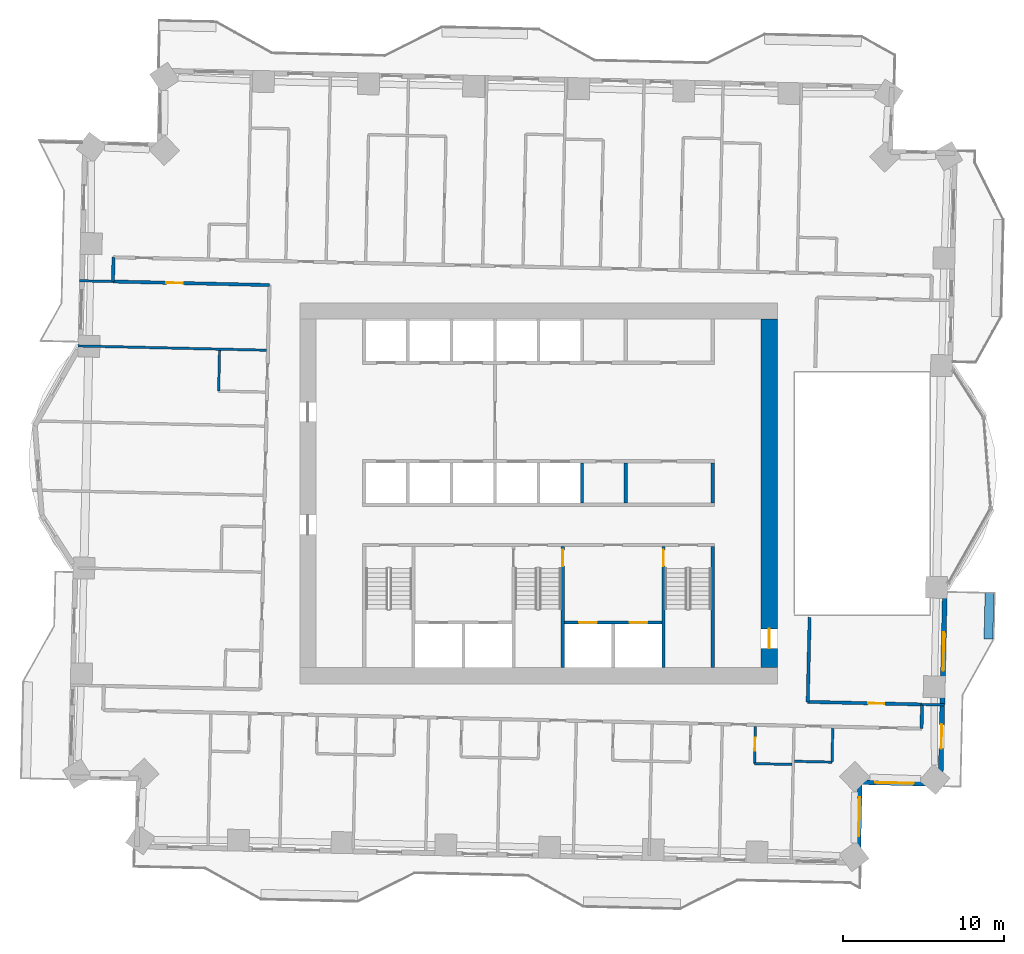
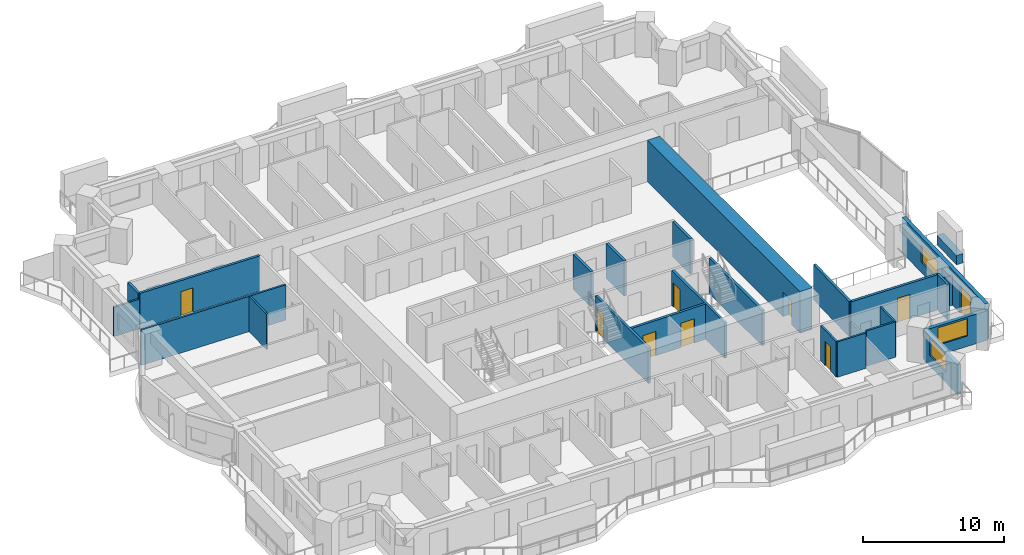
# One storey, part 9 of 16: 25 walls, 9 doors, 3 windows, 12 openings.
"""IFC4 building model written with IfcOpenShell, lengths in metres."""

from ifc_helpers import new_model, si_unit, direction, frame, frame_2d, origin, place, context, subcontext, project, spatial, rectangle, extrude, material, layer, layer_set, type_object, element, fill, save


model = new_model("IFC4")

# Units and contexts
model_context = context("Model", 3, precision=1e-05, world=origin(), true_north=direction((0.0, 1.0)))
body_context = subcontext(model_context, "Body", "Model", "MODEL_VIEW")
ifc_project = project(units=[si_unit("LENGTHUNIT", "METRE"), si_unit("AREAUNIT", "SQUARE_METRE"), si_unit("VOLUMEUNIT", "CUBIC_METRE"), si_unit("PLANEANGLEUNIT", "RADIAN"), si_unit("MASSUNIT", "GRAM", prefix="KILO")], contexts=[model_context])

# Site, building, storey
site_placement = place(None, origin())
site = spatial("IfcSite", under=ifc_project, at=site_placement, CompositionType="ELEMENT")
building_placement = place(site_placement, origin())
building = spatial("IfcBuilding", under=site, at=building_placement, Name="Mangrove Gate Tower", CompositionType="ELEMENT")
storey_placement = place(building_placement, frame((0.0, 0.0, 112.699951171875)))
storey = spatial("IfcBuildingStorey", under=building, at=storey_placement, Name="L28", CompositionType="ELEMENT", Elevation=112.699951171875)

# Walls
ifc_material_1 = material(Name="Concrete C32/40", Category="concrete")
ifc_layer_1 = layer(ifc_material_1, 0.199951171875)
ifc_layer_set_1 = layer_set([ifc_layer_1], Name="Core room wall 200 C32/40")
wall_type_1 = type_object("IfcWallType", Name="Core room wall 200 C32/40", PredefinedType="STANDARD", material=ifc_layer_set_1)
for number, where, z_axis, x_axis, name in (
    (1, (5.39990234375, -0.60009765625, 0.0), (0.0, 0.0, 1.0), (0.0, 1.0, 0.0), "WALL-L28-CORE-25"),
    (2, (10.800048828125, -0.60009765625, 0.0), (0.0, 0.0, 1.0), (0.0, 1.0, 0.0), "WALL-L28-CORE-26"),
):
    element("IfcWall", number, at=place(storey_placement, frame(where, z_axis=z_axis, x_axis=x_axis)), inside=storey, type_object=wall_type_1, Name=name, PredefinedType="STANDARD", context=body_context, shape_type="SweptSolid", body=[
        extrude(rectangle(XDim=2.5, YDim=0.199951171875, at=frame_2d((1.25, 0.0))), origin(), (0.0, 0.0, 1.0), 3.050048828125),
    ])

# Wall, openings, doors
ifc_material_2 = material(Name="Concrete C70/85", Category="concrete")
ifc_layer_2 = layer(ifc_material_2, 0.199951171875)
ifc_layer_set_2 = layer_set([ifc_layer_2], Name="Core shaft wall 200 C70/85")
wall_type_2 = type_object("IfcWallType", Name="Core shaft wall 200 C70/85", PredefinedType="SHEAR", material=ifc_layer_set_2)
wall_1_placement = place(storey_placement, frame((1.60009765625, -8.0, 0.0), z_axis=(0.0, 0.0, 1.0), x_axis=(1.0, 0.0, 0.0)))
wall_1 = element("IfcWall", 3, at=wall_1_placement, inside=storey, type_object=wall_type_2, Name="WALL-L28-CORE-17", PredefinedType="SHEAR", context=body_context, shape_type="SweptSolid", body=[
    extrude(rectangle(XDim=6.0498046875, YDim=0.199951171875, at=frame_2d((3.02490234375, 0.0))), origin(), (0.0, 0.0, 1.0), 3.050048828125),
])
opening_1_placement = place(wall_1_placement, frame((0.91259765625, 0.0, 0.0)))
opening_1 = element("IfcOpeningElement", 4, at=opening_1_placement, cuts=wall_1, Name="Opening LD", PredefinedType="OPENING", context=body_context, shape_type="SweptSolid", body=[
    extrude(rectangle(XDim=1.10009765625, YDim=2.10009765625, at=frame_2d((0.550048828125, 1.050048828125))), frame((0.0, 0.10986328125, 0.0), z_axis=(0.0, -1.0, 0.0), x_axis=(1.0, 0.0, 0.0)), (0.0, 0.0, 1.0), 0.219970703125),
])
opening_2_placement = place(wall_1_placement, frame((4.03759765625, 0.0, 0.0)))
opening_2 = element("IfcOpeningElement", 5, at=opening_2_placement, cuts=wall_1, Name="Opening LD", PredefinedType="OPENING", context=body_context, shape_type="SweptSolid", body=[
    extrude(rectangle(XDim=1.10009765625, YDim=2.10009765625, at=frame_2d((0.550048828125, 1.050048828125))), frame((0.0, 0.10986328125, 0.0), z_axis=(0.0, -1.0, 0.0), x_axis=(1.0, 0.0, 0.0)), (0.0, 0.0, 1.0), 0.219970703125),
])
ifc_material_3 = material(Name="Stainless steel 316", Category="steel")
door_type_1 = type_object("IfcDoorType", Name="Lift landing door 1100x2100", OperationType="SLIDING_TO_LEFT", PredefinedType="DOOR", material=ifc_material_3)
door_1_placement = place(opening_1_placement, origin())
door_1 = element("IfcDoor", 6, at=door_1_placement, inside=storey, type_object=door_type_1, Name="Landing door LD FFL1", OperationType="SLIDING_TO_LEFT", OverallHeight=2.10009765625, OverallWidth=1.10009765625, PredefinedType="DOOR", context=body_context, shape_type="SweptSolid", body=[
    extrude(rectangle(XDim=1.10009765625, YDim=2.10009765625, at=frame_2d((0.550048828125, 1.050048828125))), frame((0.0, 0.02490234375, 0.0), z_axis=(0.0, -1.0, 0.0), x_axis=(1.0, 0.0, 0.0)), (0.0, 0.0, 1.0), 0.050048828125),
])
fill(opening_1, door_1)
door_2_placement = place(opening_2_placement, origin())
door_2 = element("IfcDoor", 7, at=door_2_placement, inside=storey, type_object=door_type_1, Name="Landing door LD FFL2", OperationType="SLIDING_TO_LEFT", OverallHeight=2.10009765625, OverallWidth=1.10009765625, PredefinedType="DOOR", context=body_context, shape_type="SweptSolid", body=[
    extrude(rectangle(XDim=1.10009765625, YDim=2.10009765625, at=frame_2d((0.550048828125, 1.050048828125))), frame((0.0, 0.02490234375, 0.0), z_axis=(0.0, -1.0, 0.0), x_axis=(1.0, 0.0, 0.0)), (0.0, 0.0, 1.0), 0.050048828125),
])
fill(opening_2, door_2)

# Wall
wall_2_placement = place(storey_placement, frame((2.699951171875, -0.60009765625, 0.0), z_axis=(0.0, 0.0, 1.0), x_axis=(0.0, 1.0, 0.0)))
element("IfcWall", 8, at=wall_2_placement, inside=storey, type_object=wall_type_2, Name="WALL-L28-CORE-24", PredefinedType="SHEAR", context=body_context, shape_type="SweptSolid", body=[
    extrude(rectangle(XDim=2.5, YDim=0.199951171875, at=frame_2d((1.25, 0.0))), origin(), (0.0, 0.0, 1.0), 3.050048828125),
])

# Wall, opening, door
ifc_material_4 = material(Name="Concrete C70/85", Category="concrete")
ifc_layer_3 = layer(ifc_material_4, 0.199951171875)
ifc_layer_set_3 = layer_set([ifc_layer_3], Name="Core stair wall 200 C70/85")
wall_type_3 = type_object("IfcWallType", Name="Core stair wall 200 C70/85", PredefinedType="SHEAR", material=ifc_layer_set_3)
wall_3_placement = place(storey_placement, frame((1.5, -10.800048828125, 0.0), z_axis=(0.0, 0.0, 1.0), x_axis=(0.0, 1.0, 0.0)))
wall_3 = element("IfcWall", 9, at=wall_3_placement, inside=storey, type_object=wall_type_3, Name="WALL-L28-CORE-12", PredefinedType="SHEAR", context=body_context, shape_type="SweptSolid", body=[
    extrude(rectangle(XDim=7.5, YDim=0.199951171875, at=frame_2d((3.75, 0.0))), origin(), (0.0, 0.0, 1.0), 3.050048828125),
])
opening_3_placement = place(wall_3_placement, frame((6.300048828125, 0.0, 0.0)))
opening_3 = element("IfcOpeningElement", 10, at=opening_3_placement, cuts=wall_3, Name="Opening STD10", PredefinedType="OPENING", context=body_context, shape_type="SweptSolid", body=[
    extrude(rectangle(XDim=1.0, YDim=2.10009765625, at=frame_2d((0.5, 1.050048828125))), frame((0.0, 0.10986328125, 0.0), z_axis=(0.0, -1.0, 0.0), x_axis=(1.0, 0.0, 0.0)), (0.0, 0.0, 1.0), 0.219970703125),
])
ifc_material_5 = material(Name="Fire-rated steel door set", Category="steel")
door_type_2 = type_object("IfcDoorType", Name="Stair door FD60 1000x2100", OperationType="SINGLE_SWING_RIGHT", PredefinedType="DOOR", material=ifc_material_5)
door_3_placement = place(opening_3_placement, origin())
door_3 = element("IfcDoor", 11, at=door_3_placement, inside=storey, type_object=door_type_2, Name="Stair door Stair 2 from fire-fighting lobby", OperationType="SINGLE_SWING_RIGHT", OverallHeight=2.10009765625, OverallWidth=1.0, PredefinedType="DOOR", context=body_context, shape_type="SweptSolid", body=[
    extrude(rectangle(XDim=1.0, YDim=2.10009765625, at=frame_2d((0.5, 1.050048828125))), frame((0.0, 0.02490234375, 0.0), z_axis=(0.0, -1.0, 0.0), x_axis=(1.0, 0.0, 0.0)), (0.0, 0.0, 1.0), 0.050048828125),
])
fill(opening_3, door_3)

wall_4_placement = place(storey_placement, frame((7.75, -10.800048828125, 0.0), z_axis=(0.0, 0.0, 1.0), x_axis=(0.0, 1.0, 0.0)))
wall_4 = element("IfcWall", 12, at=wall_4_placement, inside=storey, type_object=wall_type_3, Name="WALL-L28-CORE-13", PredefinedType="SHEAR", context=body_context, shape_type="SweptSolid", body=[
    extrude(rectangle(XDim=7.5, YDim=0.199951171875, at=frame_2d((3.75, 0.0))), origin(), (0.0, 0.0, 1.0), 3.050048828125),
])
opening_4_placement = place(wall_4_placement, frame((6.300048828125, 0.0, 0.0)))
opening_4 = element("IfcOpeningElement", 13, at=opening_4_placement, cuts=wall_4, Name="Opening STD10", PredefinedType="OPENING", context=body_context, shape_type="SweptSolid", body=[
    extrude(rectangle(XDim=1.0, YDim=2.10009765625, at=frame_2d((0.5, 1.050048828125))), frame((0.0, 0.10986328125, 0.0), z_axis=(0.0, -1.0, 0.0), x_axis=(1.0, 0.0, 0.0)), (0.0, 0.0, 1.0), 0.219970703125),
])
door_4_placement = place(opening_4_placement, origin())
door_4 = element("IfcDoor", 14, at=door_4_placement, inside=storey, type_object=door_type_2, Name="Stair door Stair 3 from fire-fighting lobby", OperationType="SINGLE_SWING_RIGHT", OverallHeight=2.10009765625, OverallWidth=1.0, PredefinedType="DOOR", context=body_context, shape_type="SweptSolid", body=[
    extrude(rectangle(XDim=1.0, YDim=2.10009765625, at=frame_2d((0.5, 1.050048828125))), frame((0.0, 0.02490234375, 0.0), z_axis=(0.0, -1.0, 0.0), x_axis=(1.0, 0.0, 0.0)), (0.0, 0.0, 1.0), 0.050048828125),
])
fill(opening_4, door_4)

# Wall
wall_5_placement = place(storey_placement, frame((10.800048828125, -10.800048828125, 0.0), z_axis=(0.0, 0.0, 1.0), x_axis=(0.0, 1.0, 0.0)))
element("IfcWall", 15, at=wall_5_placement, inside=storey, type_object=wall_type_3, Name="WALL-L28-CORE-14", PredefinedType="SHEAR", context=body_context, shape_type="SweptSolid", body=[
    extrude(rectangle(XDim=7.5, YDim=0.199951171875, at=frame_2d((3.75, 0.0))), origin(), (0.0, 0.0, 1.0), 3.050048828125),
])

# Wall, opening, door
ifc_material_6 = material(Name="Concrete C70/85", Category="concrete")
ifc_layer_4 = layer(ifc_material_6, 1.0)
ifc_layer_set_4 = layer_set([ifc_layer_4], Name="Core wall 1000 C70/85")
wall_type_4 = type_object("IfcWallType", Name="Core wall 1000 C70/85", PredefinedType="SHEAR", material=ifc_layer_set_4)
wall_6_placement = place(storey_placement, frame((14.300048828125, -10.800048828125, 0.0), z_axis=(0.0, 0.0, 1.0), x_axis=(0.0, 1.0, 0.0)))
wall_6 = element("IfcWall", 16, at=wall_6_placement, inside=storey, type_object=wall_type_4, Name="WALL-L28-CORE-4", PredefinedType="SHEAR", context=body_context, shape_type="SweptSolid", body=[
    extrude(rectangle(XDim=21.60009765625, YDim=1.0, at=frame_2d((10.800048828125, 0.0))), origin(), (0.0, 0.0, 1.0), 3.60009765625),
])
opening_5_placement = place(wall_6_placement, frame((1.199951171875, 0.0, 0.0)))
opening_5 = element("IfcOpeningElement", 17, at=opening_5_placement, cuts=wall_6, Name="Opening CD", PredefinedType="OPENING", context=body_context, shape_type="SweptSolid", body=[
    extrude(rectangle(XDim=1.199951171875, YDim=2.10009765625, at=frame_2d((0.60009765625, 1.050048828125))), frame((0.0, 0.510009765625, 0.0), z_axis=(0.0, -1.0, 0.0), x_axis=(1.0, 0.0, 0.0)), (0.0, 0.0, 1.0), 1.02001953125),
])
ifc_material_7 = material(Name="Fire-rated steel door set", Category="steel")
door_type_3 = type_object("IfcDoorType", Name="Core ring door FD60 1200x2100", OperationType="DOUBLE_DOOR_SINGLE_SWING", PredefinedType="DOOR", material=ifc_material_7)
door_5_placement = place(opening_5_placement, origin())
door_5 = element("IfcDoor", 18, at=door_5_placement, inside=storey, type_object=door_type_3, Name="Core ring door E1", OperationType="DOUBLE_DOOR_SINGLE_SWING", OverallHeight=2.10009765625, OverallWidth=1.199951171875, PredefinedType="DOOR", context=body_context, shape_type="SweptSolid", body=[
    extrude(rectangle(XDim=1.199951171875, YDim=2.10009765625, at=frame_2d((0.60009765625, 1.050048828125))), frame((0.0, 0.02490234375, 0.0), z_axis=(0.0, -1.0, 0.0), x_axis=(1.0, 0.0, 0.0)), (0.0, 0.0, 1.0), 0.050048828125),
])
fill(opening_5, door_5)

# Wall
ifc_material_8 = material(Name="Gypsum board on steel stud, EI 60", Category="steel")
ifc_layer_5 = layer(ifc_material_8, 0.199951171875)
ifc_layer_set_5 = layer_set([ifc_layer_5], Name="Corridor wall EI 60")
wall_type_5 = type_object("IfcWallType", Name="Corridor wall EI 60", PredefinedType="PARTITIONING", material=ifc_layer_set_5)
wall_7_placement = place(storey_placement, frame((23.738037109375, -14.5791015625, 0.0), z_axis=(0.0, 0.0, 1.0), x_axis=(0.022617910375, 0.999744182344, 0.0)))
element("IfcWall", 19, at=wall_7_placement, inside=storey, type_object=wall_type_5, Name="WALL-L28-027", PredefinedType="PARTITIONING", context=body_context, shape_type="SweptSolid", body=[
    extrude(rectangle(XDim=1.50048828125, YDim=0.199951171875, at=frame_2d((0.750244140625, 0.0))), origin(), (0.0, 0.0, 1.0), 3.050048828125),
])

# Wall, opening, door
wall_8_placement = place(storey_placement, frame((16.678955078125, -12.91796875, 0.0), z_axis=(0.0, 0.0, 1.0), x_axis=(0.999739218926, -0.02283624622, 0.0)))
wall_8 = element("IfcWall", 20, at=wall_8_placement, inside=storey, type_object=wall_type_5, Name="WALL-L28-032", PredefinedType="PARTITIONING", context=body_context, shape_type="SweptSolid", body=[
    extrude(rectangle(XDim=7.098876953125, YDim=0.199951171875, at=frame_2d((3.54931640625, 0.0))), origin(), (0.0, 0.0, 1.0), 3.050048828125),
])
opening_6_placement = place(wall_8_placement, frame((3.7490234375, 0.0, 0.0)))
opening_6 = element("IfcOpeningElement", 21, at=opening_6_placement, cuts=wall_8, Name="Opening AD", PredefinedType="OPENING", context=body_context, shape_type="SweptSolid", body=[
    extrude(rectangle(XDim=1.0, YDim=2.10009765625, at=frame_2d((0.5, 1.050048828125))), frame((0.0, 0.10986328125, 0.0), z_axis=(0.0, -1.0, 0.0), x_axis=(1.0, 0.0, 0.0)), (0.0, 0.0, 1.0), 0.219970703125),
])
ifc_material_9 = material(Name="Timber door leaf", Category="wood")
door_type_4 = type_object("IfcDoorType", Name="Amenity door 1000", OperationType="SINGLE_SWING_LEFT", PredefinedType="DOOR", material=ifc_material_9)
door_6_placement = place(opening_6_placement, origin())
door_6 = element("IfcDoor", 22, at=door_6_placement, inside=storey, type_object=door_type_4, Name="DOOR-L28-KIT-c3a", OperationType="SINGLE_SWING_LEFT", OverallHeight=2.10009765625, OverallWidth=1.0, PredefinedType="DOOR", context=body_context, shape_type="SweptSolid", body=[
    extrude(rectangle(XDim=1.0, YDim=2.10009765625, at=frame_2d((0.5, 1.050048828125))), frame((0.0, 0.02490234375, 0.0), z_axis=(0.0, -1.0, 0.0), x_axis=(1.0, 0.0, 0.0)), (0.0, 0.0, 1.0), 0.050048828125),
])
fill(opening_6, door_6)

# Wall
wall_9_placement = place(storey_placement, frame((16.68408203125, -12.9189453125, 0.0), z_axis=(0.0, 0.0, 1.0), x_axis=(0.022667483124, 0.999743059595, 0.0)))
element("IfcWall", 23, at=wall_9_placement, inside=storey, type_object=wall_type_5, Name="WALL-L28-033", PredefinedType="PARTITIONING", context=body_context, shape_type="SweptSolid", body=[
    extrude(rectangle(XDim=5.245361328125, YDim=0.199951171875, at=frame_2d((2.62255859375, 0.0))), origin(), (0.0, 0.0, 1.0), 3.050048828125),
])

# Wall, opening, door
wall_10_placement = place(storey_placement, frame((-26.375, 13.135009765625, 0.0), z_axis=(0.0, 0.0, 1.0), x_axis=(0.999742757425, -0.022680806356, 0.0)))
wall_10 = element("IfcWall", 24, at=wall_10_placement, inside=storey, type_object=wall_type_5, Name="WALL-L28-046", PredefinedType="PARTITIONING", context=body_context, shape_type="SweptSolid", body=[
    extrude(rectangle(XDim=9.698486328125, YDim=0.199951171875, at=frame_2d((4.84912109375, 0.0))), origin(), (0.0, 0.0, 1.0), 3.050048828125),
])
opening_7_placement = place(wall_10_placement, frame((3.31201171875, 0.0, 0.0)))
opening_7 = element("IfcOpeningElement", 25, at=opening_7_placement, cuts=wall_10, Name="Opening AD", PredefinedType="OPENING", context=body_context, shape_type="SweptSolid", body=[
    extrude(rectangle(XDim=1.0, YDim=2.10009765625, at=frame_2d((0.5, 1.050048828125))), frame((0.0, 0.10986328125, 0.0), z_axis=(0.0, -1.0, 0.0), x_axis=(1.0, 0.0, 0.0)), (0.0, 0.0, 1.0), 0.219970703125),
])
door_7_placement = place(opening_7_placement, origin())
door_7 = element("IfcDoor", 26, at=door_7_placement, inside=storey, type_object=door_type_4, Name="DOOR-L28-GAM-c5a", OperationType="SINGLE_SWING_LEFT", OverallHeight=2.10009765625, OverallWidth=1.0, PredefinedType="DOOR", context=body_context, shape_type="SweptSolid", body=[
    extrude(rectangle(XDim=1.0, YDim=2.10009765625, at=frame_2d((0.5, 1.050048828125))), frame((0.0, 0.02490234375, 0.0), z_axis=(0.0, -1.0, 0.0), x_axis=(1.0, 0.0, 0.0)), (0.0, 0.0, 1.0), 0.050048828125),
])
fill(opening_7, door_7)

# Wall
wall_11_placement = place(storey_placement, frame((-26.3759765625, 13.138916015625, 0.0), z_axis=(0.0, 0.0, 1.0), x_axis=(0.022617910375, 0.999744182344, 0.0)))
element("IfcWall", 27, at=wall_11_placement, inside=storey, type_object=wall_type_5, Name="WALL-L28-049", PredefinedType="PARTITIONING", context=body_context, shape_type="SweptSolid", body=[
    extrude(rectangle(XDim=1.50048828125, YDim=0.199951171875, at=frame_2d((0.750244140625, 0.0))), origin(), (0.0, 0.0, 1.0), 3.050048828125),
])

# Wall, openings, door, window
ifc_material_10 = material(Name="Limestone", Category="masonry")
ifc_layer_6 = layer(ifc_material_10, 0.0400390625, Name="Limestone cladding")
ifc_material_11 = material(Name="Ventilated air gap")
ifc_layer_7 = layer(ifc_material_11, 0.0400390625, Name="Ventilated cavity")
ifc_material_12 = material(Name="Mineral wool insulation")
ifc_layer_8 = layer(ifc_material_12, 0.06005859375, Name="Insulation")
ifc_material_13 = material(Name="Breather membrane")
ifc_layer_9 = layer(ifc_material_13, 0.001953125, Name="Breather membrane")
ifc_material_14 = material(Name="Concrete C20/25 blockwork", Category="masonry")
ifc_layer_10 = layer(ifc_material_14, 0.14990234375, Name="Blockwork backing wall")
ifc_material_15 = material(Name="Gypsum plaster")
ifc_layer_11 = layer(ifc_material_15, 0.008056640625, Name="Internal plaster")
ifc_layer_set_6 = layer_set([ifc_layer_6, ifc_layer_7, ifc_layer_8, ifc_layer_9, ifc_layer_10, ifc_layer_11], Name="External wall 300 limestone cladding")
wall_type_6 = type_object("IfcWallType", Name="External wall 300 limestone cladding", PredefinedType="SOLIDWALL", material=ifc_layer_set_6)
wall_12_placement = place(storey_placement, frame((24.9150390625, -18.007080078125, 0.0), z_axis=(0.0, 0.0, 1.0), x_axis=(0.02263706344, 0.999743748847, 0.0)))
wall_12 = element("IfcWall", 28, at=wall_12_placement, inside=storey, type_object=wall_type_6, Name="WALL-L28-E0", PredefinedType="SOLIDWALL", context=body_context, shape_type="SweptSolid", body=[
    extrude(rectangle(XDim=12.230224609375, YDim=0.300048828125, at=frame_2d((6.115234375, 0.0))), origin(), (0.0, 0.0, 1.0), 3.050048828125),
])
opening_8_placement = place(wall_12_placement, frame((2.18701171875, 0.0, 0.0)))
opening_8 = element("IfcOpeningElement", 29, at=opening_8_placement, cuts=wall_12, Name="Opening BD1", PredefinedType="OPENING", context=body_context, shape_type="SweptSolid", body=[
    extrude(rectangle(XDim=1.5, YDim=2.39990234375, at=frame_2d((0.75, 1.199951171875))), frame((0.0, 0.159912109375, 0.0), z_axis=(0.0, -1.0, 0.0), x_axis=(1.0, 0.0, 0.0)), (0.0, 0.0, 1.0), 0.320068359375),
])
opening_9_placement = place(wall_12_placement, frame((7.013916015625, 0.0, 0.89990234375)))
opening_9 = element("IfcOpeningElement", 30, at=opening_9_placement, cuts=wall_12, Name="Opening W2", PredefinedType="OPENING", context=body_context, shape_type="SweptSolid", body=[
    extrude(rectangle(XDim=2.39990234375, YDim=1.5, at=frame_2d((1.199951171875, 0.75))), frame((0.0, 0.159912109375, 0.0), z_axis=(0.0, -1.0, 0.0), x_axis=(1.0, 0.0, 0.0)), (0.0, 0.0, 1.0), 0.320068359375),
])
ifc_material_16 = material(Name="Aluminium frame with laminated clear glass", Category="aluminium")
door_type_5 = type_object("IfcDoorType", Name="Balcony sliding door 1500x2400", OperationType="SLIDING_TO_LEFT", PredefinedType="DOOR", material=ifc_material_16)
door_8_placement = place(opening_8_placement, origin())
door_8 = element("IfcDoor", 31, at=door_8_placement, inside=storey, type_object=door_type_5, Name="DOOR-L28-E0-1", OperationType="SLIDING_TO_LEFT", OverallHeight=2.39990234375, OverallWidth=1.5, PredefinedType="DOOR", context=body_context, shape_type="SweptSolid", body=[
    extrude(rectangle(XDim=1.5, YDim=2.39990234375, at=frame_2d((0.75, 1.199951171875))), frame((0.0, 0.02490234375, 0.0), z_axis=(0.0, -1.0, 0.0), x_axis=(1.0, 0.0, 0.0)), (0.0, 0.0, 1.0), 0.050048828125),
])
fill(opening_8, door_8)
ifc_material_17 = material(Name="Aluminium frame with double-glazed low-e glass", Category="aluminium")
window_type = type_object("IfcWindowType", Name="Corner room window 2400x1500", PartitioningType="DOUBLE_PANEL_VERTICAL", PredefinedType="WINDOW", material=ifc_material_17)
window_1_placement = place(opening_9_placement, origin())
window_1 = element("IfcWindow", 32, at=window_1_placement, inside=storey, type_object=window_type, Name="WIN-L28-E0-2", OverallHeight=1.5, OverallWidth=2.39990234375, PartitioningType="DOUBLE_PANEL_VERTICAL", PredefinedType="WINDOW", context=body_context, shape_type="SweptSolid", body=[
    extrude(rectangle(XDim=2.39990234375, YDim=1.5, at=frame_2d((1.199951171875, 0.75))), frame((0.0, 0.030029296875, 0.0), z_axis=(0.0, -1.0, 0.0), x_axis=(1.0, 0.0, 0.0)), (0.0, 0.0, 1.0), 0.06005859375),
])
fill(opening_9, window_1)

# Wall, opening, window
wall_13_placement = place(storey_placement, frame((19.802978515625, -22.89208984375, 0.0), z_axis=(0.0, 0.0, 1.0), x_axis=(0.022606059803, 0.999744450377, 0.0)))
wall_13 = element("IfcWall", 33, at=wall_13_placement, inside=storey, type_object=wall_type_6, Name="WALL-L28-E14", PredefinedType="SOLIDWALL", context=body_context, shape_type="SweptSolid", body=[
    extrude(rectangle(XDim=5.000244140625, YDim=0.300048828125, at=frame_2d((2.5, 0.0))), origin(), (0.0, 0.0, 1.0), 2.550048828125),
])
opening_10_placement = place(wall_13_placement, frame((1.65087890625, 0.0, 0.89990234375)))
opening_10 = element("IfcOpeningElement", 34, at=opening_10_placement, cuts=wall_13, Name="Opening W2", PredefinedType="OPENING", context=body_context, shape_type="SweptSolid", body=[
    extrude(rectangle(XDim=2.39990234375, YDim=1.5, at=frame_2d((1.199951171875, 0.75))), frame((0.0, 0.159912109375, 0.0), z_axis=(0.0, -1.0, 0.0), x_axis=(1.0, 0.0, 0.0)), (0.0, 0.0, 1.0), 0.320068359375),
])
window_2_placement = place(opening_10_placement, origin())
window_2 = element("IfcWindow", 35, at=window_2_placement, inside=storey, type_object=window_type, Name="WIN-L28-E14-1", OverallHeight=1.5, OverallWidth=2.39990234375, PartitioningType="DOUBLE_PANEL_VERTICAL", PredefinedType="WINDOW", context=body_context, shape_type="SweptSolid", body=[
    extrude(rectangle(XDim=2.39990234375, YDim=1.5, at=frame_2d((1.199951171875, 0.75))), frame((0.0, 0.030029296875, 0.0), z_axis=(0.0, -1.0, 0.0), x_axis=(1.0, 0.0, 0.0)), (0.0, 0.0, 1.0), 0.06005859375),
])
fill(opening_10, window_2)

wall_14_placement = place(storey_placement, frame((19.916015625, -17.89306640625, 0.0), z_axis=(0.0, 0.0, 1.0), x_axis=(0.999740017489, -0.022801259434, 0.0)))
wall_14 = element("IfcWall", 36, at=wall_14_placement, inside=storey, type_object=wall_type_6, Name="WALL-L28-S15", PredefinedType="SOLIDWALL", context=body_context, shape_type="SweptSolid", body=[
    extrude(rectangle(XDim=5.000244140625, YDim=0.300048828125, at=frame_2d((2.5, 0.0))), origin(), (0.0, 0.0, 1.0), 2.550048828125),
])
opening_11_placement = place(wall_14_placement, frame((0.951904296875, 0.0, 0.89990234375)))
opening_11 = element("IfcOpeningElement", 37, at=opening_11_placement, cuts=wall_14, Name="Opening W2", PredefinedType="OPENING", context=body_context, shape_type="SweptSolid", body=[
    extrude(rectangle(XDim=2.39990234375, YDim=1.5, at=frame_2d((1.199951171875, 0.75))), frame((0.0, 0.159912109375, 0.0), z_axis=(0.0, -1.0, 0.0), x_axis=(1.0, 0.0, 0.0)), (0.0, 0.0, 1.0), 0.320068359375),
])
window_3_placement = place(opening_11_placement, origin())
window_3 = element("IfcWindow", 38, at=window_3_placement, inside=storey, type_object=window_type, Name="WIN-L28-S15-1", OverallHeight=1.5, OverallWidth=2.39990234375, PartitioningType="DOUBLE_PANEL_VERTICAL", PredefinedType="WINDOW", context=body_context, shape_type="SweptSolid", body=[
    extrude(rectangle(XDim=2.39990234375, YDim=1.5, at=frame_2d((1.199951171875, 0.75))), frame((0.0, 0.030029296875, 0.0), z_axis=(0.0, -1.0, 0.0), x_axis=(1.0, 0.0, 0.0)), (0.0, 0.0, 1.0), 0.06005859375),
])
fill(opening_11, window_3)

# Wall
ifc_material_18 = material(Name="Gypsum board on steel stud, EI 60", Category="steel")
ifc_layer_12 = layer(ifc_material_18, 0.14990234375)
ifc_layer_set_7 = layer_set([ifc_layer_12], Name="Party wall 150 EI 60")
wall_type_7 = type_object("IfcWallType", Name="Party wall 150 EI 60", PredefinedType="PARTITIONING", material=ifc_layer_set_7)
wall_15_placement = place(storey_placement, frame((13.383056640625, -16.7451171875, 0.0), z_axis=(0.0, 0.0, 1.0), x_axis=(0.999749744571, -0.022370700241, 0.0)))
element("IfcWall", 39, at=wall_15_placement, inside=storey, type_object=wall_type_7, Name="WALL-L28-021", PredefinedType="PARTITIONING", context=body_context, shape_type="SweptSolid", body=[
    extrude(rectangle(XDim=2.324462890625, YDim=0.14990234375, at=frame_2d((1.162109375, 0.0))), origin(), (0.0, 0.0, 1.0), 3.050048828125),
])

# Wall, opening, door
wall_16_placement = place(storey_placement, frame((13.386962890625, -16.7451171875, 0.0), z_axis=(0.0, 0.0, 1.0), x_axis=(0.022603288534, 0.999744513037, 0.0)))
wall_16 = element("IfcWall", 40, at=wall_16_placement, inside=storey, type_object=wall_type_7, Name="WALL-L28-022", PredefinedType="PARTITIONING", context=body_context, shape_type="SweptSolid", body=[
    extrude(rectangle(XDim=2.300537109375, YDim=0.14990234375, at=frame_2d((1.150390625, 0.0))), origin(), (0.0, 0.0, 1.0), 3.050048828125),
])
opening_12_placement = place(wall_16_placement, frame((0.800048828125, 0.0, 0.0)))
opening_12 = element("IfcOpeningElement", 41, at=opening_12_placement, cuts=wall_16, Name="Opening ED", PredefinedType="OPENING", context=body_context, shape_type="SweptSolid", body=[
    extrude(rectangle(XDim=0.800048828125, YDim=2.10009765625, at=frame_2d((0.39990234375, 1.050048828125))), frame((0.0, 0.0849609375, 0.0), z_axis=(0.0, -1.0, 0.0), x_axis=(1.0, 0.0, 0.0)), (0.0, 0.0, 1.0), 0.169921875),
])
ifc_material_19 = material(Name="Timber door leaf", Category="wood")
door_type_6 = type_object("IfcDoorType", Name="En-suite door 800", OperationType="SINGLE_SWING_LEFT", PredefinedType="DOOR", material=ifc_material_19)
door_9_placement = place(opening_12_placement, origin())
door_9 = element("IfcDoor", 42, at=door_9_placement, inside=storey, type_object=door_type_6, Name="DOOR-L28-ENS-c308", OperationType="SINGLE_SWING_RIGHT", OverallHeight=2.10009765625, OverallWidth=0.800048828125, PredefinedType="DOOR", context=body_context, shape_type="SweptSolid", body=[
    extrude(rectangle(XDim=0.800048828125, YDim=2.10009765625, at=frame_2d((0.39990234375, 1.050048828125))), frame((0.0, 0.02490234375, 0.0), z_axis=(0.0, -1.0, 0.0), x_axis=(1.0, 0.0, 0.0)), (0.0, 0.0, 1.0), 0.050048828125),
])
fill(opening_12, door_9)

# Walls
wall_17_placement = place(storey_placement, frame((15.861083984375, -16.60107421875, 0.0), z_axis=(0.0, 0.0, 1.0), x_axis=(0.999740478815, -0.022781023197, 0.0)))
element("IfcWall", 43, at=wall_17_placement, inside=storey, type_object=wall_type_7, Name="WALL-L28-023", PredefinedType="PARTITIONING", context=body_context, shape_type="SweptSolid", body=[
    extrude(rectangle(XDim=2.325439453125, YDim=0.14990234375, at=frame_2d((1.16259765625, 0.0))), origin(), (0.0, 0.0, 1.0), 3.050048828125),
])
wall_18_placement = place(storey_placement, frame((18.18994140625, -16.654052734375, 0.0), z_axis=(0.0, 0.0, 1.0), x_axis=(0.022430997437, 0.999748393524, 0.0)))
element("IfcWall", 44, at=wall_18_placement, inside=storey, type_object=wall_type_7, Name="WALL-L28-024", PredefinedType="PARTITIONING", context=body_context, shape_type="SweptSolid", body=[
    extrude(rectangle(XDim=2.1005859375, YDim=0.14990234375, at=frame_2d((1.05029296875, 0.0))), origin(), (0.0, 0.0, 1.0), 3.050048828125),
])
wall_19_placement = place(storey_placement, frame((23.77197265625, -13.0791015625, 0.0), z_axis=(0.0, 0.0, 1.0), x_axis=(0.999740667531, -0.022772739949, 0.0)))
element("IfcWall", 45, at=wall_19_placement, inside=storey, type_object=wall_type_7, Name="WALL-L28-034", PredefinedType="PARTITIONING", context=body_context, shape_type="SweptSolid", body=[
    extrude(rectangle(XDim=1.404296875, YDim=0.14990234375, at=frame_2d((0.7021484375, 0.0))), origin(), (0.0, 0.0, 1.0), 2.550048828125),
])
wall_20_placement = place(storey_placement, frame((-19.827880859375, 6.340087890625, 0.0), z_axis=(0.0, 0.0, 1.0), x_axis=(0.022532486354, 0.9997461113, 0.0)))
element("IfcWall", 46, at=wall_20_placement, inside=storey, type_object=wall_type_7, Name="WALL-L28-041", PredefinedType="PARTITIONING", context=body_context, shape_type="SweptSolid", body=[
    extrude(rectangle(XDim=2.524658203125, YDim=0.14990234375, at=frame_2d((1.26220703125, 0.0))), origin(), (0.0, 0.0, 1.0), 3.050048828125),
])
wall_21_placement = place(storey_placement, frame((-28.541015625, 9.14306640625, 0.0), z_axis=(0.0, 0.0, 1.0), x_axis=(0.999742008279, -0.022713803786, 0.0)))
element("IfcWall", 47, at=wall_21_placement, inside=storey, type_object=wall_type_7, Name="WALL-L28-044", PredefinedType="PARTITIONING", context=body_context, shape_type="SweptSolid", body=[
    extrude(rectangle(XDim=11.6728515625, YDim=0.14990234375, at=frame_2d((5.83642578125, 0.0))), origin(), (0.0, 0.0, 1.0), 3.050048828125),
])
wall_22_placement = place(storey_placement, frame((-28.448974609375, 13.181884765625, 0.0), z_axis=(0.0, 0.0, 1.0), x_axis=(0.999745641909, -0.022553303166, 0.0)))
element("IfcWall", 48, at=wall_22_placement, inside=storey, type_object=wall_type_7, Name="WALL-L28-045", PredefinedType="PARTITIONING", context=body_context, shape_type="SweptSolid", body=[
    extrude(rectangle(XDim=2.078369140625, YDim=0.14990234375, at=frame_2d((1.0390625, 0.0))), origin(), (0.0, 0.0, 1.0), 2.550048828125),
])
ifc_material_20 = material(Name="Concrete C32/40", Category="concrete")
ifc_layer_13 = layer(ifc_material_20, 0.199951171875, Name="Planter trough wall")
ifc_material_21 = material(Name="Bituminous waterproofing membrane")
ifc_layer_14 = layer(ifc_material_21, 0.0048828125, Name="Waterproofing")
ifc_material_22 = material(Name="Drainage board and gravel")
ifc_layer_15 = layer(ifc_material_22, 0.044921875, Name="Drainage layer")
ifc_material_23 = material(Name="Planting soil")
ifc_layer_16 = layer(ifc_material_23, 0.300048828125, Name="Growing medium")
ifc_layer_set_8 = layer_set([ifc_layer_13, ifc_layer_14, ifc_layer_15, ifc_layer_16], Name="Planter wall 550 C32/40")
wall_type_8 = type_object("IfcWallType", Name="Planter wall 550 C32/40", PredefinedType="USERDEFINED", material=ifc_layer_set_8)
wall_23_placement = place(storey_placement, frame((27.884033203125, -9.02197265625, 0.0), z_axis=(0.0, 0.0, 1.0), x_axis=(0.022929749512, 0.99973707873, 0.0)))
element("IfcWall", 49, at=wall_23_placement, inside=storey, type_object=wall_type_8, Name="PLANTER L28 E0.1", ObjectType="PLANTER", PredefinedType="USERDEFINED", context=body_context, shape_type="SweptSolid", body=[
    extrude(rectangle(XDim=2.874755859375, YDim=0.550048828125, at=frame_2d((1.4375, 0.0))), origin(), (0.0, 0.0, 1.0), 0.800048828125),
])

save(model, "model.ifc")
